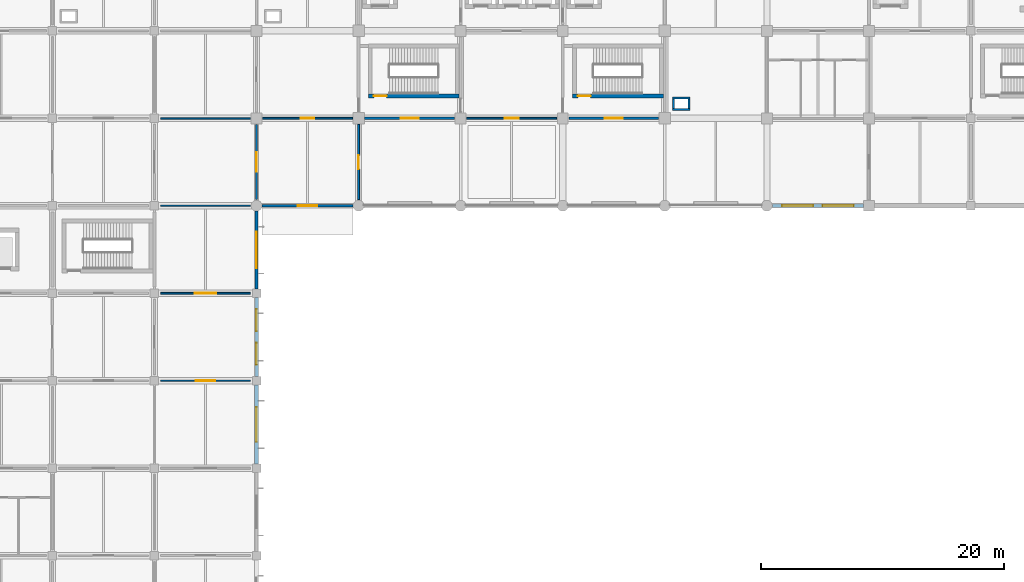
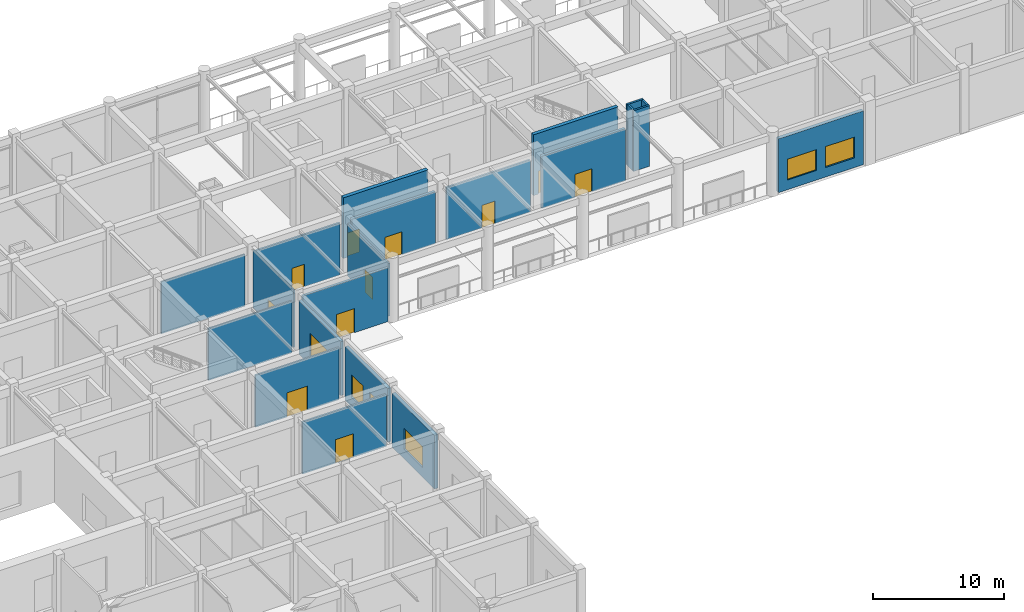
# One storey, part 17 of 39: 21 walls, 11 doors, 6 windows, 17 openings.
"""IFC4 building model written with IfcOpenShell, lengths in metres."""

from ifc_helpers import new_model, si_unit, derived_unit, direction, frame, frame_2d, origin, place, context, subcontext, project, spatial, rectangle, extrude, material, layer, layer_set, type_object, element, fill, save


model = new_model("IFC4")

# Units and contexts
model_context = context("Model", 3, precision=1e-05, world=origin(), true_north=direction((0.0, 1.0)))
body_context = subcontext(model_context, "Body", "Model", "MODEL_VIEW")
ifc_project = project(units=[si_unit("LENGTHUNIT", "METRE"), si_unit("AREAUNIT", "SQUARE_METRE"), si_unit("VOLUMEUNIT", "CUBIC_METRE"), si_unit("PLANEANGLEUNIT", "RADIAN"), si_unit("MASSUNIT", "GRAM", prefix="KILO"), derived_unit("THERMALTRANSMITTANCEUNIT", [(si_unit("MASSUNIT", "GRAM", prefix="KILO"), 1), (si_unit("TIMEUNIT", "SECOND"), -3), (si_unit("THERMODYNAMICTEMPERATUREUNIT", "KELVIN"), -1)])], contexts=[model_context])

# Site, building, storey
site_placement = place(None, origin())
site = spatial("IfcSite", under=ifc_project, at=site_placement, CompositionType="ELEMENT")
building_placement = place(site_placement, origin())
building = spatial("IfcBuilding", under=site, at=building_placement, Name="Veldstrom Oceanarium and Marine Research Institute", CompositionType="ELEMENT")
storey_placement = place(building_placement, origin())
storey = spatial("IfcBuildingStorey", under=building, at=storey_placement, Name="L00", CompositionType="ELEMENT", Elevation=0.0)

# Wall, opening, window
ifc_material_1 = material(Name="Masonry Cavity Wall", Category="masonry")
ifc_layer_1 = layer(ifc_material_1, 0.31005859375)
ifc_layer_set_1 = layer_set([ifc_layer_1], Name="ARC-WAL-EW1")
wall_type_1 = type_object("IfcWallType", Name="ARC-WAL-EW1", PredefinedType="SOLIDWALL", material=ifc_layer_set_1)
wall_1_placement = place(storey_placement, frame((67.199951171875, 21.949951171875, 0.0), z_axis=(0.0, 0.0, 1.0), x_axis=(0.0, 1.0, 0.0)))
wall_1 = element("IfcWall", 1, at=wall_1_placement, inside=storey, type_object=wall_type_1, Name="Exterior Facade Wall EW1 L00-028", PredefinedType="SOLIDWALL", context=body_context, shape_type="SweptSolid", body=[
    extrude(rectangle(XDim=6.5, YDim=0.31005859375, at=frame_2d((3.25, 0.0))), origin(), (0.0, 0.0, 1.0), 5.02001953125),
])
opening_1_placement = place(wall_1_placement, frame((1.824951171875, 0.0, 0.89990234375)))
opening_1 = element("IfcOpeningElement", 2, at=opening_1_placement, cuts=wall_1, Name="Opening W19", PredefinedType="OPENING", context=body_context, shape_type="SweptSolid", body=[
    extrude(rectangle(XDim=2.85009765625, YDim=1.949951171875, at=frame_2d((1.425048828125, 0.97509765625))), frame((0.0, 0.1650390625, 0.0), z_axis=(0.0, -1.0, 0.0), x_axis=(1.0, 0.0, 0.0)), (0.0, 0.0, 1.0), 0.330078125),
])
ifc_material_2 = material(Name="Double Glazed Low-E IGU", Category="glass")
window_type_1 = type_object("IfcWindowType", Name="ARC-WIN-W19", PartitioningType="SINGLE_PANEL", PredefinedType="WINDOW", material=ifc_material_2)
window_1_placement = place(opening_1_placement, origin())
window_1 = element("IfcWindow", 3, at=window_1_placement, inside=storey, type_object=window_type_1, Name="Facade Window W19 L00-0012", OverallHeight=1.949951171875, OverallWidth=2.85009765625, PartitioningType="SINGLE_PANEL", PredefinedType="WINDOW", context=body_context, shape_type="SweptSolid", body=[
    extrude(rectangle(XDim=2.85009765625, YDim=1.949951171875, at=frame_2d((1.425048828125, 0.97509765625))), frame((0.0, 0.030029296875, 0.0), z_axis=(0.0, -1.0, 0.0), x_axis=(1.0, 0.0, 0.0)), (0.0, 0.0, 1.0), 0.06005859375),
])
fill(opening_1, window_1)

# Wall, openings, windows
wall_2_placement = place(storey_placement, frame((109.64990234375, 43.199951171875, 0.0), z_axis=(0.0, 0.0, 1.0), x_axis=(1.0, 0.0, 0.0)))
wall_2 = element("IfcWall", 4, at=wall_2_placement, inside=storey, type_object=wall_type_1, Name="Exterior Facade Wall EW1 L00-033", PredefinedType="SOLIDWALL", context=body_context, shape_type="SweptSolid", body=[
    extrude(rectangle(XDim=7.5, YDim=0.31005859375, at=frame_2d((3.75, 0.0))), origin(), (0.0, 0.0, 1.0), 5.02001953125),
])
opening_2_placement = place(wall_2_placement, frame((0.800048828125, 0.0, 0.89990234375)))
opening_2 = element("IfcOpeningElement", 5, at=opening_2_placement, cuts=wall_2, Name="Opening W20", PredefinedType="OPENING", context=body_context, shape_type="SweptSolid", body=[
    extrude(rectangle(XDim=2.550048828125, YDim=1.949951171875, at=frame_2d((1.27490234375, 0.97509765625))), frame((0.0, 0.1650390625, 0.0), z_axis=(0.0, -1.0, 0.0), x_axis=(1.0, 0.0, 0.0)), (0.0, 0.0, 1.0), 0.330078125),
])
opening_3_placement = place(wall_2_placement, frame((4.14990234375, 0.0, 0.89990234375)))
opening_3 = element("IfcOpeningElement", 6, at=opening_3_placement, cuts=wall_2, Name="Opening W20", PredefinedType="OPENING", context=body_context, shape_type="SweptSolid", body=[
    extrude(rectangle(XDim=2.550048828125, YDim=1.949951171875, at=frame_2d((1.27490234375, 0.97509765625))), frame((0.0, 0.1650390625, 0.0), z_axis=(0.0, -1.0, 0.0), x_axis=(1.0, 0.0, 0.0)), (0.0, 0.0, 1.0), 0.330078125),
])
ifc_material_3 = material(Name="Double Glazed Low-E IGU", Category="glass")
window_type_2 = type_object("IfcWindowType", Name="ARC-WIN-W20", PartitioningType="SINGLE_PANEL", PredefinedType="WINDOW", material=ifc_material_3)
window_2_placement = place(opening_2_placement, origin())
window_2 = element("IfcWindow", 7, at=window_2_placement, inside=storey, type_object=window_type_2, Name="Facade Window W20 L00-0016", OverallHeight=1.949951171875, OverallWidth=2.550048828125, PartitioningType="SINGLE_PANEL", PredefinedType="WINDOW", context=body_context, shape_type="SweptSolid", body=[
    extrude(rectangle(XDim=2.550048828125, YDim=1.949951171875, at=frame_2d((1.27490234375, 0.97509765625))), frame((0.0, 0.030029296875, 0.0), z_axis=(0.0, -1.0, 0.0), x_axis=(1.0, 0.0, 0.0)), (0.0, 0.0, 1.0), 0.06005859375),
])
fill(opening_2, window_2)
window_3_placement = place(opening_3_placement, origin())
window_3 = element("IfcWindow", 8, at=window_3_placement, inside=storey, type_object=window_type_2, Name="Facade Window W20 L00-0017", OverallHeight=1.949951171875, OverallWidth=2.550048828125, PartitioningType="SINGLE_PANEL", PredefinedType="WINDOW", context=body_context, shape_type="SweptSolid", body=[
    extrude(rectangle(XDim=2.550048828125, YDim=1.949951171875, at=frame_2d((1.27490234375, 0.97509765625))), frame((0.0, 0.030029296875, 0.0), z_axis=(0.0, -1.0, 0.0), x_axis=(1.0, 0.0, 0.0)), (0.0, 0.0, 1.0), 0.06005859375),
])
fill(opening_3, window_3)

ifc_material_4 = material(Name="Masonry Cavity Wall", Category="masonry")
ifc_layer_2 = layer(ifc_material_4, 0.2900390625)
ifc_layer_set_2 = layer_set([ifc_layer_2], Name="ARC-WAL-EW2")
wall_type_2 = type_object("IfcWallType", Name="ARC-WAL-EW2", PredefinedType="SOLIDWALL", material=ifc_layer_set_2)
wall_3_placement = place(storey_placement, frame((67.199951171875, 29.14990234375, 0.0), z_axis=(0.0, 0.0, 1.0), x_axis=(0.0, 1.0, 0.0)))
wall_3 = element("IfcWall", 9, at=wall_3_placement, inside=storey, type_object=wall_type_2, Name="Exterior Facade Wall EW2 L00-029", PredefinedType="SOLIDWALL", context=body_context, shape_type="SweptSolid", body=[
    extrude(rectangle(XDim=6.5, YDim=0.2900390625, at=frame_2d((3.25, 0.0))), origin(), (0.0, 0.0, 1.0), 5.02001953125),
])
opening_4_placement = place(wall_3_placement, frame((0.966796875, 0.0, 0.89990234375)))
opening_4 = element("IfcOpeningElement", 10, at=opening_4_placement, cuts=wall_3, Name="Opening W10", PredefinedType="OPENING", context=body_context, shape_type="SweptSolid", body=[
    extrude(rectangle(XDim=1.800048828125, YDim=2.10009765625, at=frame_2d((0.89990234375, 1.050048828125))), frame((0.0, 0.155029296875, 0.0), z_axis=(0.0, -1.0, 0.0), x_axis=(1.0, 0.0, 0.0)), (0.0, 0.0, 1.0), 0.31005859375),
])
opening_5_placement = place(wall_3_placement, frame((3.7333984375, 0.0, 0.89990234375)))
opening_5 = element("IfcOpeningElement", 11, at=opening_5_placement, cuts=wall_3, Name="Opening W10", PredefinedType="OPENING", context=body_context, shape_type="SweptSolid", body=[
    extrude(rectangle(XDim=1.800048828125, YDim=2.10009765625, at=frame_2d((0.89990234375, 1.050048828125))), frame((0.0, 0.155029296875, 0.0), z_axis=(0.0, -1.0, 0.0), x_axis=(1.0, 0.0, 0.0)), (0.0, 0.0, 1.0), 0.31005859375),
])
ifc_material_5 = material(Name="Double Glazed Low-E IGU", Category="glass")
window_type_3 = type_object("IfcWindowType", Name="ARC-WIN-W10", PartitioningType="SINGLE_PANEL", PredefinedType="WINDOW", material=ifc_material_5)
window_4_placement = place(opening_4_placement, origin())
window_4 = element("IfcWindow", 12, at=window_4_placement, inside=storey, type_object=window_type_3, Name="Facade Window W10 L00-0013", OverallHeight=2.10009765625, OverallWidth=1.800048828125, PartitioningType="SINGLE_PANEL", PredefinedType="WINDOW", context=body_context, shape_type="SweptSolid", body=[
    extrude(rectangle(XDim=1.800048828125, YDim=2.10009765625, at=frame_2d((0.89990234375, 1.050048828125))), frame((0.0, 0.030029296875, 0.0), z_axis=(0.0, -1.0, 0.0), x_axis=(1.0, 0.0, 0.0)), (0.0, 0.0, 1.0), 0.06005859375),
])
fill(opening_4, window_4)
window_5_placement = place(opening_5_placement, origin())
window_5 = element("IfcWindow", 13, at=window_5_placement, inside=storey, type_object=window_type_3, Name="Facade Window W10 L00-0014", OverallHeight=2.10009765625, OverallWidth=1.800048828125, PartitioningType="SINGLE_PANEL", PredefinedType="WINDOW", context=body_context, shape_type="SweptSolid", body=[
    extrude(rectangle(XDim=1.800048828125, YDim=2.10009765625, at=frame_2d((0.89990234375, 1.050048828125))), frame((0.0, 0.030029296875, 0.0), z_axis=(0.0, -1.0, 0.0), x_axis=(1.0, 0.0, 0.0)), (0.0, 0.0, 1.0), 0.06005859375),
])
fill(opening_5, window_5)

# Wall, opening, window
ifc_material_6 = material(Name="Masonry Cavity Wall", Category="masonry")
ifc_layer_3 = layer(ifc_material_6, 0.27001953125)
ifc_layer_set_3 = layer_set([ifc_layer_3], Name="ARC-WAL-EW3")
wall_type_3 = type_object("IfcWallType", Name="ARC-WAL-EW3", PredefinedType="SOLIDWALL", material=ifc_layer_set_3)
wall_4_placement = place(storey_placement, frame((67.199951171875, 36.35009765625, 0.0), z_axis=(0.0, 0.0, 1.0), x_axis=(0.0, 1.0, 0.0)))
wall_4 = element("IfcWall", 14, at=wall_4_placement, inside=storey, type_object=wall_type_3, Name="Exterior Facade Wall EW3 L00-030", PredefinedType="SOLIDWALL", context=body_context, shape_type="SweptSolid", body=[
    extrude(rectangle(XDim=6.39990234375, YDim=0.27001953125, at=frame_2d((3.199951171875, 0.0))), origin(), (0.0, 0.0, 1.0), 5.02001953125),
])
opening_6_placement = place(wall_4_placement, frame((1.699951171875, 0.0, 0.89990234375)))
opening_6 = element("IfcOpeningElement", 15, at=opening_6_placement, cuts=wall_4, Name="Opening W07", PredefinedType="OPENING", context=body_context, shape_type="SweptSolid", body=[
    extrude(rectangle(XDim=3.0, YDim=2.10009765625, at=frame_2d((1.5, 1.050048828125))), frame((0.0, 0.14501953125, 0.0), z_axis=(0.0, -1.0, 0.0), x_axis=(1.0, 0.0, 0.0)), (0.0, 0.0, 1.0), 0.2900390625),
])
ifc_material_7 = material(Name="Double Glazed Low-E IGU", Category="glass")
window_type_4 = type_object("IfcWindowType", Name="ARC-WIN-W07", PartitioningType="SINGLE_PANEL", PredefinedType="WINDOW", material=ifc_material_7)
window_6_placement = place(opening_6_placement, origin())
window_6 = element("IfcWindow", 16, at=window_6_placement, inside=storey, type_object=window_type_4, Name="Facade Window W07 L00-0015", OverallHeight=2.10009765625, OverallWidth=3.0, PartitioningType="SINGLE_PANEL", PredefinedType="WINDOW", context=body_context, shape_type="SweptSolid", body=[
    extrude(rectangle(XDim=3.0, YDim=2.10009765625, at=frame_2d((1.5, 1.050048828125))), frame((0.0, 0.030029296875, 0.0), z_axis=(0.0, -1.0, 0.0), x_axis=(1.0, 0.0, 0.0)), (0.0, 0.0, 1.0), 0.06005859375),
])
fill(opening_6, window_6)

# Wall, opening, door
ifc_material_8 = material(Name="Masonry Cavity Wall", Category="masonry")
ifc_layer_4 = layer(ifc_material_8, 0.215087890625)
ifc_layer_set_4 = layer_set([ifc_layer_4], Name="ARC-WAL-EW6")
wall_type_4 = type_object("IfcWallType", Name="ARC-WAL-EW6", PredefinedType="SOLIDWALL", material=ifc_layer_set_4)
wall_5_placement = place(storey_placement, frame((67.64990234375, 43.199951171875, 0.0), z_axis=(0.0, 0.0, 1.0), x_axis=(1.0, 0.0, 0.0)))
wall_5 = element("IfcWall", 17, at=wall_5_placement, inside=storey, type_object=wall_type_4, Name="Exterior Facade Wall EW6 L00-032", PredefinedType="SOLIDWALL", context=body_context, shape_type="SweptSolid", body=[
    extrude(rectangle(XDim=7.5, YDim=0.215087890625, at=frame_2d((3.75, 0.0))), origin(), (0.0, 0.0, 1.0), 5.02001953125),
])
opening_7_placement = place(wall_5_placement, frame((2.949951171875, 0.0, 0.0)))
opening_7 = element("IfcOpeningElement", 18, at=opening_7_placement, cuts=wall_5, Name="Opening D-L00-013", PredefinedType="OPENING", context=body_context, shape_type="SweptSolid", body=[
    extrude(rectangle(XDim=1.60009765625, YDim=2.25, at=frame_2d((0.800048828125, 1.125))), frame((0.0, 0.117431640625, 0.0), z_axis=(0.0, -1.0, 0.0), x_axis=(1.0, 0.0, 0.0)), (0.0, 0.0, 1.0), 0.235107421875),
])
ifc_material_9 = material(Name="Painted Galvanised Steel Door", Category="steel")
door_type_1 = type_object("IfcDoorType", Name="ARC-DOR-ED3", OperationType="DOUBLE_DOOR_SINGLE_SWING", PredefinedType="DOOR", material=ifc_material_9)
door_1_placement = place(opening_7_placement, frame((1.60009765625, 0.0, 0.0), z_axis=(0.0, 0.0, 1.0), x_axis=(-1.0, 0.0, 0.0)))
door_1 = element("IfcDoor", 19, at=door_1_placement, inside=storey, type_object=door_type_1, Name="Street Entrance / Exit Door D-L00-013", OperationType="DOUBLE_DOOR_SINGLE_SWING", OverallHeight=2.25, OverallWidth=1.60009765625, PredefinedType="DOOR", context=body_context, shape_type="SweptSolid", body=[
    extrude(rectangle(XDim=1.60009765625, YDim=2.25, at=frame_2d((0.800048828125, 1.125))), frame((0.0, 0.02490234375, 0.0), z_axis=(0.0, -1.0, 0.0), x_axis=(1.0, 0.0, 0.0)), (0.0, 0.0, 1.0), 0.050048828125),
])
fill(opening_7, door_1)

ifc_material_10 = material(Name="Masonry Fire Compartment Wall", Category="masonry")
ifc_layer_5 = layer(ifc_material_10, 0.22998046875)
ifc_layer_set_5 = layer_set([ifc_layer_5], Name="ARC-WAL-PT1")
wall_type_5 = type_object("IfcWallType", Name="ARC-WAL-PT1", PredefinedType="PARTITIONING", material=ifc_layer_set_5)
wall_6_placement = place(storey_placement, frame((76.10009765625, 50.39990234375, 0.0), z_axis=(0.0, 0.0, 1.0), x_axis=(1.0, 0.0, 0.0)))
wall_6 = element("IfcWall", 20, at=wall_6_placement, inside=storey, type_object=wall_type_5, Name="Interior Partition PT1 L00-0702", PredefinedType="PARTITIONING", context=body_context, shape_type="SweptSolid", body=[
    extrude(rectangle(XDim=7.39990234375, YDim=0.22998046875, at=frame_2d((3.699951171875, 0.0))), origin(), (0.0, 0.0, 1.0), 4.8701171875),
])
opening_8_placement = place(wall_6_placement, frame((2.949951171875, 0.0, 0.0)))
opening_8 = element("IfcOpeningElement", 21, at=opening_8_placement, cuts=wall_6, Name="Opening D-L00-408", PredefinedType="OPENING", context=body_context, shape_type="SweptSolid", body=[
    extrude(rectangle(XDim=1.5, YDim=2.14990234375, at=frame_2d((0.75, 1.074951171875))), frame((0.0, 0.125, 0.0), z_axis=(0.0, -1.0, 0.0), x_axis=(1.0, 0.0, 0.0)), (0.0, 0.0, 1.0), 0.25),
])
ifc_material_11 = material(Name="Painted Steel Lobby Fire Door", Category="steel")
door_type_2 = type_object("IfcDoorType", Name="ARC-DOR-SD2", OperationType="DOUBLE_DOOR_SINGLE_SWING", PredefinedType="DOOR", material=ifc_material_11)
door_2_placement = place(opening_8_placement, frame((1.5, 0.0, 0.0), z_axis=(0.0, 0.0, 1.0), x_axis=(-1.0, 0.0, 0.0)))
door_2 = element("IfcDoor", 22, at=door_2_placement, inside=storey, type_object=door_type_2, Name="Interior Door D-L00-408", OperationType="DOUBLE_DOOR_SINGLE_SWING", OverallHeight=2.14990234375, OverallWidth=1.5, PredefinedType="DOOR", context=body_context, shape_type="SweptSolid", body=[
    extrude(rectangle(XDim=1.5, YDim=2.14990234375, at=frame_2d((0.75, 1.074951171875))), frame((0.0, 0.02490234375, 0.0), z_axis=(0.0, -1.0, 0.0), x_axis=(1.0, 0.0, 0.0)), (0.0, 0.0, 1.0), 0.050048828125),
])
fill(opening_8, door_2)

wall_7_placement = place(storey_placement, frame((92.89990234375, 50.39990234375, 0.0), z_axis=(0.0, 0.0, 1.0), x_axis=(1.0, 0.0, 0.0)))
wall_7 = element("IfcWall", 23, at=wall_7_placement, inside=storey, type_object=wall_type_5, Name="Interior Partition PT1 L00-0712", PredefinedType="PARTITIONING", context=body_context, shape_type="SweptSolid", body=[
    extrude(rectangle(XDim=7.400146484375, YDim=0.22998046875, at=frame_2d((3.7001953125, 0.0))), origin(), (0.0, 0.0, 1.0), 4.8701171875),
])
opening_9_placement = place(wall_7_placement, frame((2.949951171875, 0.0, 0.0)))
opening_9 = element("IfcOpeningElement", 24, at=opening_9_placement, cuts=wall_7, Name="Opening D-L00-415", PredefinedType="OPENING", context=body_context, shape_type="SweptSolid", body=[
    extrude(rectangle(XDim=1.5, YDim=2.14990234375, at=frame_2d((0.75, 1.074951171875))), frame((0.0, 0.125, 0.0), z_axis=(0.0, -1.0, 0.0), x_axis=(1.0, 0.0, 0.0)), (0.0, 0.0, 1.0), 0.25),
])
door_3_placement = place(opening_9_placement, frame((1.5, 0.0, 0.0), z_axis=(0.0, 0.0, 1.0), x_axis=(-1.0, 0.0, 0.0)))
door_3 = element("IfcDoor", 25, at=door_3_placement, inside=storey, type_object=door_type_2, Name="Interior Door D-L00-415", OperationType="DOUBLE_DOOR_SINGLE_SWING", OverallHeight=2.14990234375, OverallWidth=1.5, PredefinedType="DOOR", context=body_context, shape_type="SweptSolid", body=[
    extrude(rectangle(XDim=1.5, YDim=2.14990234375, at=frame_2d((0.75, 1.074951171875))), frame((0.0, 0.02490234375, 0.0), z_axis=(0.0, -1.0, 0.0), x_axis=(1.0, 0.0, 0.0)), (0.0, 0.0, 1.0), 0.050048828125),
])
fill(opening_9, door_3)

ifc_material_12 = material(Name="Drywall Corridor Partition", Category="gypsum")
ifc_layer_6 = layer(ifc_material_12, 0.155029296875)
ifc_layer_set_6 = layer_set([ifc_layer_6], Name="ARC-WAL-PT4")
wall_type_6 = type_object("IfcWallType", Name="ARC-WAL-PT4", PredefinedType="PARTITIONING", material=ifc_layer_set_6)
wall_8_placement = place(storey_placement, frame((59.300048828125, 28.800048828125, 0.0), z_axis=(0.0, 0.0, 1.0), x_axis=(1.0, 0.0, 0.0)))
wall_8 = element("IfcWall", 26, at=wall_8_placement, inside=storey, type_object=wall_type_6, Name="Interior Partition PT4 L00-0688", PredefinedType="PARTITIONING", context=body_context, shape_type="SweptSolid", body=[
    extrude(rectangle(XDim=7.39990234375, YDim=0.155029296875, at=frame_2d((3.699951171875, 0.0))), origin(), (0.0, 0.0, 1.0), 4.8701171875),
])
opening_10_placement = place(wall_8_placement, frame((2.89990234375, 0.0, 0.0)))
opening_10 = element("IfcOpeningElement", 27, at=opening_10_placement, cuts=wall_8, Name="Opening D-L00-399", PredefinedType="OPENING", context=body_context, shape_type="SweptSolid", body=[
    extrude(rectangle(XDim=1.60009765625, YDim=2.199951171875, at=frame_2d((0.800048828125, 1.10009765625))), frame((0.0, 0.08740234375, 0.0), z_axis=(0.0, -1.0, 0.0), x_axis=(1.0, 0.0, 0.0)), (0.0, 0.0, 1.0), 0.175048828125),
])
ifc_material_13 = material(Name="Acoustic Timber Corridor Door", Category="wood")
door_type_3 = type_object("IfcDoorType", Name="ARC-DOR-ID02", OperationType="DOUBLE_DOOR_SINGLE_SWING", PredefinedType="DOOR", material=ifc_material_13)
door_4_placement = place(opening_10_placement, origin())
door_4 = element("IfcDoor", 28, at=door_4_placement, inside=storey, type_object=door_type_3, Name="Interior Door D-L00-399", OperationType="DOUBLE_DOOR_SINGLE_SWING", OverallHeight=2.199951171875, OverallWidth=1.60009765625, PredefinedType="DOOR", context=body_context, shape_type="SweptSolid", body=[
    extrude(rectangle(XDim=1.60009765625, YDim=2.199951171875, at=frame_2d((0.800048828125, 1.10009765625))), frame((0.0, 0.02490234375, 0.0), z_axis=(0.0, -1.0, 0.0), x_axis=(1.0, 0.0, 0.0)), (0.0, 0.0, 1.0), 0.050048828125),
])
fill(opening_10, door_4)

wall_9_placement = place(storey_placement, frame((75.60009765625, 43.699951171875, 0.0), z_axis=(0.0, 0.0, 1.0), x_axis=(0.0, 1.0, 0.0)))
wall_9 = element("IfcWall", 29, at=wall_9_placement, inside=storey, type_object=wall_type_6, Name="Interior Partition PT4 L00-0698", PredefinedType="PARTITIONING", context=body_context, shape_type="SweptSolid", body=[
    extrude(rectangle(XDim=6.199951171875, YDim=0.155029296875, at=frame_2d((3.10009765625, 0.0))), origin(), (0.0, 0.0, 1.0), 4.919921875),
])
opening_11_placement = place(wall_9_placement, frame((2.52490234375, 0.0, 0.0)))
opening_11 = element("IfcOpeningElement", 30, at=opening_11_placement, cuts=wall_9, Name="Opening D-L00-405", PredefinedType="OPENING", context=body_context, shape_type="SweptSolid", body=[
    extrude(rectangle(XDim=1.14990234375, YDim=2.10009765625, at=frame_2d((0.574951171875, 1.050048828125))), frame((0.0, 0.08740234375, 0.0), z_axis=(0.0, -1.0, 0.0), x_axis=(1.0, 0.0, 0.0)), (0.0, 0.0, 1.0), 0.175048828125),
])
ifc_material_14 = material(Name="Fellows Studio Door", Category="timber")
door_type_4 = type_object("IfcDoorType", Name="ARC-DOR-ID17", OperationType="SINGLE_SWING_LEFT", PredefinedType="DOOR", material=ifc_material_14)
door_5_placement = place(opening_11_placement, frame((1.14990234375, 0.0, 0.0), z_axis=(0.0, 0.0, 1.0), x_axis=(-1.0, 0.0, 0.0)))
door_5 = element("IfcDoor", 31, at=door_5_placement, inside=storey, type_object=door_type_4, Name="Interior Door D-L00-405", OperationType="SINGLE_SWING_RIGHT", OverallHeight=2.10009765625, OverallWidth=1.14990234375, PredefinedType="DOOR", context=body_context, shape_type="SweptSolid", body=[
    extrude(rectangle(XDim=1.14990234375, YDim=2.10009765625, at=frame_2d((0.574951171875, 1.050048828125))), frame((0.0, 0.02490234375, 0.0), z_axis=(0.0, -1.0, 0.0), x_axis=(1.0, 0.0, 0.0)), (0.0, 0.0, 1.0), 0.050048828125),
])
fill(opening_11, door_5)

wall_10_placement = place(storey_placement, frame((67.699951171875, 50.39990234375, 0.0), z_axis=(0.0, 0.0, 1.0), x_axis=(1.0, 0.0, 0.0)))
wall_10 = element("IfcWall", 32, at=wall_10_placement, inside=storey, type_object=wall_type_6, Name="Interior Partition PT4 L00-0699", PredefinedType="PARTITIONING", context=body_context, shape_type="SweptSolid", body=[
    extrude(rectangle(XDim=7.400146484375, YDim=0.155029296875, at=frame_2d((3.7001953125, 0.0))), origin(), (0.0, 0.0, 1.0), 4.8701171875),
])
opening_12_placement = place(wall_10_placement, frame((3.14990234375, 0.0, 0.0)))
opening_12 = element("IfcOpeningElement", 33, at=opening_12_placement, cuts=wall_10, Name="Opening D-L00-406", PredefinedType="OPENING", context=body_context, shape_type="SweptSolid", body=[
    extrude(rectangle(XDim=1.10009765625, YDim=2.10009765625, at=frame_2d((0.550048828125, 1.050048828125))), frame((0.0, 0.08740234375, 0.0), z_axis=(0.0, -1.0, 0.0), x_axis=(1.0, 0.0, 0.0)), (0.0, 0.0, 1.0), 0.175048828125),
])
ifc_material_15 = material(Name="Research Office Door", Category="timber")
door_type_5 = type_object("IfcDoorType", Name="ARC-DOR-ID07", OperationType="SINGLE_SWING_LEFT", PredefinedType="DOOR", material=ifc_material_15)
door_6_placement = place(opening_12_placement, frame((1.10009765625, 0.0, 0.0), z_axis=(0.0, 0.0, 1.0), x_axis=(-1.0, 0.0, 0.0)))
door_6 = element("IfcDoor", 34, at=door_6_placement, inside=storey, type_object=door_type_5, Name="Interior Door D-L00-406", OperationType="SINGLE_SWING_RIGHT", OverallHeight=2.10009765625, OverallWidth=1.10009765625, PredefinedType="DOOR", context=body_context, shape_type="SweptSolid", body=[
    extrude(rectangle(XDim=1.10009765625, YDim=2.10009765625, at=frame_2d((0.550048828125, 1.050048828125))), frame((0.0, 0.02490234375, 0.0), z_axis=(0.0, -1.0, 0.0), x_axis=(1.0, 0.0, 0.0)), (0.0, 0.0, 1.0), 0.050048828125),
])
fill(opening_12, door_6)

wall_11_placement = place(storey_placement, frame((84.5, 50.39990234375, 0.0), z_axis=(0.0, 0.0, 1.0), x_axis=(1.0, 0.0, 0.0)))
wall_11 = element("IfcWall", 35, at=wall_11_placement, inside=storey, type_object=wall_type_6, Name="Interior Partition PT4 L00-0707", PredefinedType="PARTITIONING", context=body_context, shape_type="SweptSolid", body=[
    extrude(rectangle(XDim=7.39990234375, YDim=0.155029296875, at=frame_2d((3.699951171875, 0.0))), origin(), (0.0, 0.0, 1.0), 4.8701171875),
])
opening_13_placement = place(wall_11_placement, frame((3.125, 0.0, 0.0)))
opening_13 = element("IfcOpeningElement", 36, at=opening_13_placement, cuts=wall_11, Name="Opening D-L00-411", PredefinedType="OPENING", context=body_context, shape_type="SweptSolid", body=[
    extrude(rectangle(XDim=1.14990234375, YDim=2.10009765625, at=frame_2d((0.574951171875, 1.050048828125))), frame((0.0, 0.08740234375, 0.0), z_axis=(0.0, -1.0, 0.0), x_axis=(1.0, 0.0, 0.0)), (0.0, 0.0, 1.0), 0.175048828125),
])
door_7_placement = place(opening_13_placement, frame((1.14990234375, 0.0, 0.0), z_axis=(0.0, 0.0, 1.0), x_axis=(-1.0, 0.0, 0.0)))
door_7 = element("IfcDoor", 37, at=door_7_placement, inside=storey, type_object=door_type_4, Name="Interior Door D-L00-411", OperationType="SINGLE_SWING_RIGHT", OverallHeight=2.10009765625, OverallWidth=1.14990234375, PredefinedType="DOOR", context=body_context, shape_type="SweptSolid", body=[
    extrude(rectangle(XDim=1.14990234375, YDim=2.10009765625, at=frame_2d((0.574951171875, 1.050048828125))), frame((0.0, 0.02490234375, 0.0), z_axis=(0.0, -1.0, 0.0), x_axis=(1.0, 0.0, 0.0)), (0.0, 0.0, 1.0), 0.050048828125),
])
fill(opening_13, door_7)

ifc_material_16 = material(Name="Moisture-Resistant Wet-Area Partition", Category="masonry")
ifc_layer_7 = layer(ifc_material_16, 0.139892578125)
ifc_layer_set_7 = layer_set([ifc_layer_7], Name="ARC-WAL-PT5")
wall_type_7 = type_object("IfcWallType", Name="ARC-WAL-PT5", PredefinedType="PARTITIONING", material=ifc_layer_set_7)
wall_12_placement = place(storey_placement, frame((59.300048828125, 36.0, 0.0), z_axis=(0.0, 0.0, 1.0), x_axis=(1.0, 0.0, 0.0)))
wall_12 = element("IfcWall", 38, at=wall_12_placement, inside=storey, type_object=wall_type_7, Name="Interior Partition PT5 L00-0689", PredefinedType="PARTITIONING", context=body_context, shape_type="SweptSolid", body=[
    extrude(rectangle(XDim=7.39990234375, YDim=0.139892578125, at=frame_2d((3.699951171875, 0.0))), origin(), (0.0, 0.0, 1.0), 4.8701171875),
])
opening_14_placement = place(wall_12_placement, frame((2.800048828125, 0.0, 0.0)))
opening_14 = element("IfcOpeningElement", 39, at=opening_14_placement, cuts=wall_12, Name="Opening D-L00-400", PredefinedType="OPENING", context=body_context, shape_type="SweptSolid", body=[
    extrude(rectangle(XDim=1.800048828125, YDim=2.25, at=frame_2d((0.89990234375, 1.125))), frame((0.0, 0.079833984375, 0.0), z_axis=(0.0, -1.0, 0.0), x_axis=(1.0, 0.0, 0.0)), (0.0, 0.0, 1.0), 0.159912109375),
])
ifc_material_17 = material(Name="Acoustic Timber Gallery Door", Category="wood")
door_type_6 = type_object("IfcDoorType", Name="ARC-DOR-ID01", OperationType="DOUBLE_DOOR_SINGLE_SWING", PredefinedType="DOOR", material=ifc_material_17)
door_8_placement = place(opening_14_placement, frame((1.800048828125, 0.0, 0.0), z_axis=(0.0, 0.0, 1.0), x_axis=(-1.0, 0.0, 0.0)))
door_8 = element("IfcDoor", 40, at=door_8_placement, inside=storey, type_object=door_type_6, Name="Interior Door D-L00-400", OperationType="DOUBLE_DOOR_SINGLE_SWING", OverallHeight=2.25, OverallWidth=1.800048828125, PredefinedType="DOOR", context=body_context, shape_type="SweptSolid", body=[
    extrude(rectangle(XDim=1.800048828125, YDim=2.25, at=frame_2d((0.89990234375, 1.125))), frame((0.0, 0.02490234375, 0.0), z_axis=(0.0, -1.0, 0.0), x_axis=(1.0, 0.0, 0.0)), (0.0, 0.0, 1.0), 0.050048828125),
])
fill(opening_14, door_8)

wall_13_placement = place(storey_placement, frame((67.199951171875, 43.699951171875, 0.0), z_axis=(0.0, 0.0, 1.0), x_axis=(0.0, 1.0, 0.0)))
wall_13 = element("IfcWall", 41, at=wall_13_placement, inside=storey, type_object=wall_type_7, Name="Interior Partition PT5 L00-0691", PredefinedType="PARTITIONING", context=body_context, shape_type="SweptSolid", body=[
    extrude(rectangle(XDim=6.199951171875, YDim=0.139892578125, at=frame_2d((3.10009765625, 0.0))), origin(), (0.0, 0.0, 1.0), 5.3798828125),
])
opening_15_placement = place(wall_13_placement, frame((2.300048828125, 0.0, 0.0)))
opening_15 = element("IfcOpeningElement", 42, at=opening_15_placement, cuts=wall_13, Name="Opening D-L00-401", PredefinedType="OPENING", context=body_context, shape_type="SweptSolid", body=[
    extrude(rectangle(XDim=1.60009765625, YDim=2.199951171875, at=frame_2d((0.800048828125, 1.10009765625))), frame((0.0, 0.079833984375, 0.0), z_axis=(0.0, -1.0, 0.0), x_axis=(1.0, 0.0, 0.0)), (0.0, 0.0, 1.0), 0.159912109375),
])
door_9_placement = place(opening_15_placement, origin())
door_9 = element("IfcDoor", 43, at=door_9_placement, inside=storey, type_object=door_type_3, Name="Interior Door D-L00-401", OperationType="DOUBLE_DOOR_SINGLE_SWING", OverallHeight=2.199951171875, OverallWidth=1.60009765625, PredefinedType="DOOR", context=body_context, shape_type="SweptSolid", body=[
    extrude(rectangle(XDim=1.60009765625, YDim=2.199951171875, at=frame_2d((0.800048828125, 1.10009765625))), frame((0.0, 0.02490234375, 0.0), z_axis=(0.0, -1.0, 0.0), x_axis=(1.0, 0.0, 0.0)), (0.0, 0.0, 1.0), 0.050048828125),
])
fill(opening_15, door_9)

# Walls
ifc_material_18 = material(Name="Lightweight Studio Partition", Category="gypsum")
ifc_layer_8 = layer(ifc_material_18, 0.1201171875)
ifc_layer_set_8 = layer_set([ifc_layer_8], Name="ARC-WAL-PT6")
wall_type_8 = type_object("IfcWallType", Name="ARC-WAL-PT6", PredefinedType="PARTITIONING", material=ifc_layer_set_8)
for number, where, z_axis, x_axis, name in (
    (44, (59.300048828125, 43.199951171875, 0.0), (0.0, 0.0, 1.0), (1.0, 0.0, 0.0), "Interior Partition PT6 L00-0690"),
    (45, (59.300048828125, 50.39990234375, 0.0), (0.0, 0.0, 1.0), (1.0, 0.0, 0.0), "Interior Partition PT6 L00-0692"),
):
    element("IfcWall", number, at=place(storey_placement, frame(where, z_axis=z_axis, x_axis=x_axis)), inside=storey, type_object=wall_type_8, Name=name, PredefinedType="PARTITIONING", context=body_context, shape_type="SweptSolid", body=[
        extrude(rectangle(XDim=7.39990234375, YDim=0.1201171875, at=frame_2d((3.699951171875, 0.0))), origin(), (0.0, 0.0, 1.0), 4.8701171875),
    ])
ifc_material_19 = material(Name="Service Riser Fire Shaft Wall", Category="masonry")
ifc_layer_9 = layer(ifc_material_19, 0.1650390625)
ifc_layer_set_9 = layer_set([ifc_layer_9], Name="ARC-WAL-PT9")
wall_type_9 = type_object("IfcWallType", Name="ARC-WAL-PT9", PredefinedType="PARTITIONING", material=ifc_layer_set_9)
for number, where, z_axis, x_axis, name in (
    (46, (101.43505859375, 51.117431640625, 0.0), (0.0, 0.0, 1.0), (1.0, 0.0, 0.0), "Service Riser Fire Shaft Wall L00-CE-S"),
    (47, (101.43505859375, 52.08251953125, 0.0), (0.0, 0.0, 1.0), (1.0, 0.0, 0.0), "Service Riser Fire Shaft Wall L00-CE-N"),
):
    element("IfcWall", number, at=place(storey_placement, frame(where, z_axis=z_axis, x_axis=x_axis)), inside=storey, type_object=wall_type_9, Name=name, PredefinedType="PARTITIONING", context=body_context, shape_type="SweptSolid", body=[
        extrude(rectangle(XDim=1.429931640625, YDim=0.1650390625, at=frame_2d((0.71484375, 0.0))), origin(), (0.0, 0.0, 1.0), 5.675048828125),
    ])
for number, where, z_axis, x_axis, name in (
    (48, (101.517578125, 51.199951171875, 0.0), (0.0, 0.0, 1.0), (0.0, 1.0, 0.0), "Service Riser Fire Shaft Wall L00-CE-W"),
    (49, (102.782470703125, 51.199951171875, 0.0), (0.0, 0.0, 1.0), (0.0, 1.0, 0.0), "Service Riser Fire Shaft Wall L00-CE-E"),
):
    element("IfcWall", number, at=place(storey_placement, frame(where, z_axis=z_axis, x_axis=x_axis)), inside=storey, type_object=wall_type_9, Name=name, PredefinedType="PARTITIONING", context=body_context, shape_type="SweptSolid", body=[
        extrude(rectangle(XDim=0.800048828125, YDim=0.1650390625, at=frame_2d((0.39990234375, 0.0))), origin(), (0.0, 0.0, 1.0), 5.675048828125),
    ])

# Wall, opening, door
ifc_material_20 = material(Name="Concrete C40/50", Category="concrete")
ifc_layer_10 = layer(ifc_material_20, 0.320068359375)
ifc_layer_set_10 = layer_set([ifc_layer_10], Name="STR-WAL-WC3")
wall_type_10 = type_object("IfcWallType", Name="STR-WAL-WC3", PredefinedType="SHEAR", material=ifc_layer_set_10)
wall_14_placement = place(storey_placement, frame((76.39990234375, 52.239990234375, 0.0), z_axis=(0.0, 0.0, 1.0), x_axis=(1.0, 0.0, 0.0)))
wall_14 = element("IfcWall", 50, at=wall_14_placement, inside=storey, type_object=wall_type_10, Name="Stair Core Shear Wall SC1-L00-S", PredefinedType="SHEAR", context=body_context, shape_type="SweptSolid", body=[
    extrude(rectangle(XDim=7.47998046875, YDim=0.320068359375, at=frame_2d((3.739990234375, 0.0))), origin(), (0.0, 0.0, 1.0), 5.675048828125),
])
opening_16_placement = place(wall_14_placement, frame((0.449951171875, 0.0, 0.0)))
opening_16 = element("IfcOpeningElement", 51, at=opening_16_placement, cuts=wall_14, Name="Opening D-ST1-L00", PredefinedType="OPENING", context=body_context, shape_type="SweptSolid", body=[
    extrude(rectangle(XDim=1.050048828125, YDim=2.14990234375, at=frame_2d((0.52490234375, 1.074951171875))), frame((0.0, 0.169921875, 0.0), z_axis=(0.0, -1.0, 0.0), x_axis=(1.0, 0.0, 0.0)), (0.0, 0.0, 1.0), 0.340087890625),
])
ifc_material_21 = material(Name="Painted Steel Fire Door", Category="steel")
door_type_7 = type_object("IfcDoorType", Name="ARC-DOR-SD1", OperationType="SINGLE_SWING_LEFT", PredefinedType="DOOR", material=ifc_material_21)
door_10_placement = place(opening_16_placement, frame((1.050048828125, 0.0, 0.0), z_axis=(0.0, 0.0, 1.0), x_axis=(-1.0, 0.0, 0.0)))
door_10 = element("IfcDoor", 52, at=door_10_placement, inside=storey, type_object=door_type_7, Name="Escape Stair Fire Door D-ST1-L00", OperationType="SINGLE_SWING_RIGHT", OverallHeight=2.14990234375, OverallWidth=1.050048828125, PredefinedType="DOOR", context=body_context, shape_type="SweptSolid", body=[
    extrude(rectangle(XDim=1.050048828125, YDim=2.14990234375, at=frame_2d((0.52490234375, 1.074951171875))), frame((0.0, 0.02490234375, 0.0), z_axis=(0.0, -1.0, 0.0), x_axis=(1.0, 0.0, 0.0)), (0.0, 0.0, 1.0), 0.050048828125),
])
fill(opening_16, door_10)

wall_15_placement = place(storey_placement, frame((93.199951171875, 52.239990234375, 0.0), z_axis=(0.0, 0.0, 1.0), x_axis=(1.0, 0.0, 0.0)))
wall_15 = element("IfcWall", 53, at=wall_15_placement, inside=storey, type_object=wall_type_10, Name="Stair Core Shear Wall SC2-L00-S", PredefinedType="SHEAR", context=body_context, shape_type="SweptSolid", body=[
    extrude(rectangle(XDim=7.47998046875, YDim=0.320068359375, at=frame_2d((3.739990234375, 0.0))), origin(), (0.0, 0.0, 1.0), 5.675048828125),
])
opening_17_placement = place(wall_15_placement, frame((0.449951171875, 0.0, 0.0)))
opening_17 = element("IfcOpeningElement", 54, at=opening_17_placement, cuts=wall_15, Name="Opening D-ST2-L00", PredefinedType="OPENING", context=body_context, shape_type="SweptSolid", body=[
    extrude(rectangle(XDim=1.050048828125, YDim=2.14990234375, at=frame_2d((0.52490234375, 1.074951171875))), frame((0.0, 0.169921875, 0.0), z_axis=(0.0, -1.0, 0.0), x_axis=(1.0, 0.0, 0.0)), (0.0, 0.0, 1.0), 0.340087890625),
])
door_11_placement = place(opening_17_placement, frame((1.050048828125, 0.0, 0.0), z_axis=(0.0, 0.0, 1.0), x_axis=(-1.0, 0.0, 0.0)))
door_11 = element("IfcDoor", 55, at=door_11_placement, inside=storey, type_object=door_type_7, Name="Escape Stair Fire Door D-ST2-L00", OperationType="SINGLE_SWING_RIGHT", OverallHeight=2.14990234375, OverallWidth=1.050048828125, PredefinedType="DOOR", context=body_context, shape_type="SweptSolid", body=[
    extrude(rectangle(XDim=1.050048828125, YDim=2.14990234375, at=frame_2d((0.52490234375, 1.074951171875))), frame((0.0, 0.02490234375, 0.0), z_axis=(0.0, -1.0, 0.0), x_axis=(1.0, 0.0, 0.0)), (0.0, 0.0, 1.0), 0.050048828125),
])
fill(opening_17, door_11)

save(model, "model.ifc")
